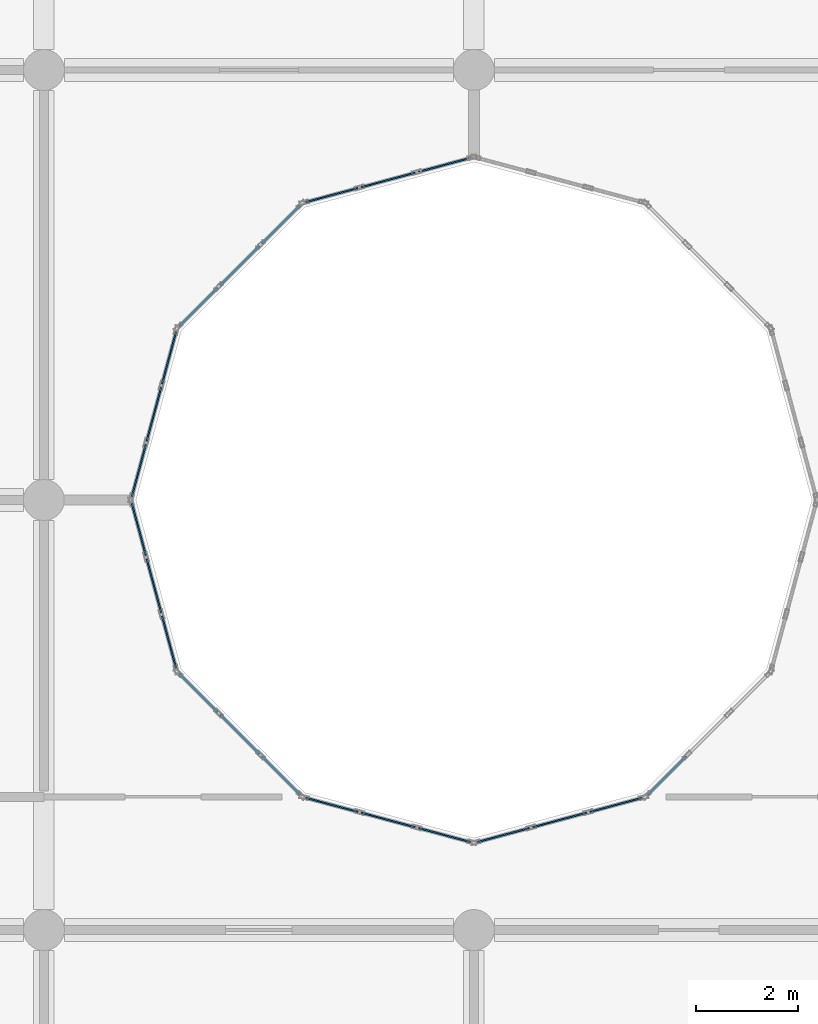
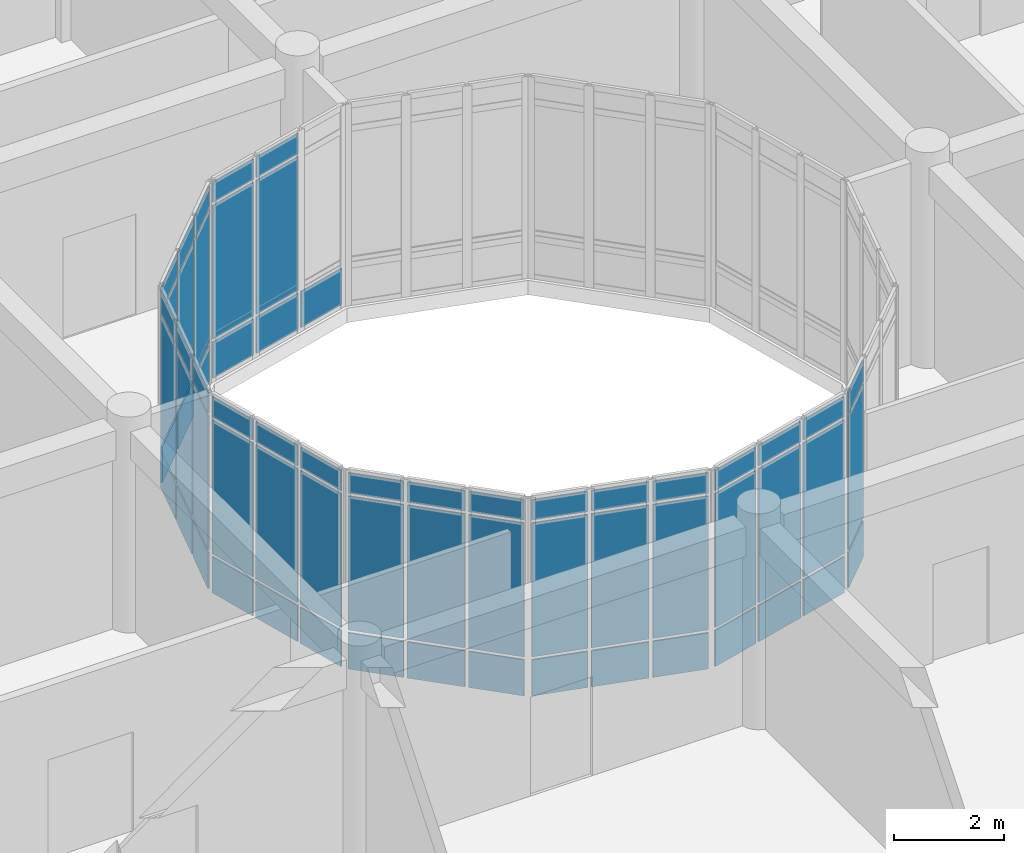
# One storey, part 70 of 138: 64 plates, 8 elements without a shape of their own.
"""IFC4 building model written with IfcOpenShell, lengths in metres."""

from ifc_helpers import new_model, si_unit, direction, frame, origin, origin_2d, place, context, subcontext, project, spatial, rectangle, extrude, material, layer, layer_set, type_object, element, aggregate, save


model = new_model("IFC4")

# Units and contexts
model_context = context("Model", 3, precision=1e-05, world=origin(), true_north=direction((0.0, 1.0)))
body_context = subcontext(model_context, "Body", "Model", "MODEL_VIEW")
ifc_project = project(units=[si_unit("LENGTHUNIT", "METRE"), si_unit("AREAUNIT", "SQUARE_METRE"), si_unit("VOLUMEUNIT", "CUBIC_METRE"), si_unit("PLANEANGLEUNIT", "RADIAN"), si_unit("MASSUNIT", "GRAM", prefix="KILO")], contexts=[model_context])

# Site, building, storey
site_placement = place(None, origin())
site = spatial("IfcSite", under=ifc_project, at=site_placement, CompositionType="ELEMENT")
building_placement = place(site_placement, origin())
building = spatial("IfcBuilding", under=site, at=building_placement, Name="Bramfleet General Hospital", CompositionType="ELEMENT")
storey_placement = place(building_placement, origin())
storey = spatial("IfcBuildingStorey", under=building, at=storey_placement, Name="L00", CompositionType="ELEMENT", Elevation=0.0)

# Curtain wall, plates
ifc_material_1 = material(Name="Anodised aluminium and low-E triple glazing", Category="aluminium")
ifc_layer_1 = layer(ifc_material_1, 0.179931640625, Name="CWT-CW-13")
ifc_layer_set_1 = layer_set([ifc_layer_1], Name="Anodised aluminium and low-E triple glazing")
curtain_wall_type_1 = type_object("IfcCurtainWallType", Name="CWT-CW-13", PredefinedType="USERDEFINED", material=ifc_layer_set_1)
curtain_wall_1_placement = place(storey_placement, origin())
curtain_wall_1 = element("IfcCurtainWall", 1, at=curtain_wall_1_placement, inside=storey, type_object=curtain_wall_type_1, Name="L00 West Clinical Light Court Curtain Wall 1.1", ObjectType="Stick curtain wall", PredefinedType="USERDEFINED")
ifc_material_2 = material(Name="Low-E laminated safety glass", Category="glass")
ifc_layer_2 = layer(ifc_material_2, 0.031982421875, Name="CWP-GLZ-2")
ifc_layer_set_2 = layer_set([ifc_layer_2], Name="Low-E laminated safety glass")
plate_type = type_object("IfcPlateType", Name="CWP-GLZ-2", PredefinedType="CURTAIN_PANEL", material=ifc_layer_set_2)
plate_1_placement = place(storey_placement, frame((18.654296875, 83.4248046875, 0.06494140625), z_axis=(0.0, 0.0, 1.0), x_axis=(0.25891863407, -0.965899136003, 0.0)))
plate_1 = element("IfcPlate", 2, at=plate_1_placement, type_object=plate_type, Name="CW-13 panel 1.1", PredefinedType="CURTAIN_PANEL", context=body_context, shape_type="SweptSolid", body=[
    extrude(rectangle(XDim=1.051025390625, YDim=0.031982421875, at=origin_2d()), origin(), (0.0, 0.0, 1.0), 0.802490234375),
])
plate_2_placement = place(storey_placement, frame((18.654296875, 83.4248046875, 0.932373046875), z_axis=(0.0, 0.0, 1.0), x_axis=(0.25891863407, -0.965899136003, 0.0)))
plate_2 = element("IfcPlate", 3, at=plate_2_placement, type_object=plate_type, Name="CW-13 panel 1.2", PredefinedType="CURTAIN_PANEL", context=body_context, shape_type="SweptSolid", body=[
    extrude(rectangle(XDim=1.051025390625, YDim=0.031982421875, at=origin_2d()), origin(), (0.0, 0.0, 1.0), 2.97509765625),
])
plate_3_placement = place(storey_placement, frame((18.654296875, 83.4248046875, 3.97265625), z_axis=(0.0, 0.0, 1.0), x_axis=(0.25891863407, -0.965899136003, 0.0)))
plate_3 = element("IfcPlate", 4, at=plate_3_placement, type_object=plate_type, Name="CW-13 panel 1.3", PredefinedType="CURTAIN_PANEL", context=body_context, shape_type="SweptSolid", body=[
    extrude(rectangle(XDim=1.051025390625, YDim=0.031982421875, at=origin_2d()), origin(), (0.0, 0.0, 1.0), 0.452392578125),
])
plate_4_placement = place(storey_placement, frame((18.948974609375, 82.324951171875, 0.06494140625), z_axis=(0.0, 0.0, 1.0), x_axis=(0.25891863407, -0.965899136003, 0.0)))
plate_4 = element("IfcPlate", 5, at=plate_4_placement, type_object=plate_type, Name="CW-13 panel 2.1", PredefinedType="CURTAIN_PANEL", context=body_context, shape_type="SweptSolid", body=[
    extrude(rectangle(XDim=1.086181640625, YDim=0.031982421875, at=origin_2d()), origin(), (0.0, 0.0, 1.0), 0.802490234375),
])
plate_5_placement = place(storey_placement, frame((18.948974609375, 82.324951171875, 0.932373046875), z_axis=(0.0, 0.0, 1.0), x_axis=(0.25891863407, -0.965899136003, 0.0)))
plate_5 = element("IfcPlate", 6, at=plate_5_placement, type_object=plate_type, Name="CW-13 panel 2.2", PredefinedType="CURTAIN_PANEL", context=body_context, shape_type="SweptSolid", body=[
    extrude(rectangle(XDim=1.086181640625, YDim=0.031982421875, at=origin_2d()), origin(), (0.0, 0.0, 1.0), 2.97509765625),
])
plate_6_placement = place(storey_placement, frame((18.948974609375, 82.324951171875, 3.97265625), z_axis=(0.0, 0.0, 1.0), x_axis=(0.25891863407, -0.965899136003, 0.0)))
plate_6 = element("IfcPlate", 7, at=plate_6_placement, type_object=plate_type, Name="CW-13 panel 2.3", PredefinedType="CURTAIN_PANEL", context=body_context, shape_type="SweptSolid", body=[
    extrude(rectangle(XDim=1.086181640625, YDim=0.031982421875, at=origin_2d()), origin(), (0.0, 0.0, 1.0), 0.452392578125),
])
plate_7_placement = place(storey_placement, frame((19.243896484375, 81.225341796875, 0.06494140625), z_axis=(0.0, 0.0, 1.0), x_axis=(0.25891863407, -0.965899136003, 0.0)))
plate_7 = element("IfcPlate", 8, at=plate_7_placement, type_object=plate_type, Name="CW-13 panel 3.1", PredefinedType="CURTAIN_PANEL", context=body_context, shape_type="SweptSolid", body=[
    extrude(rectangle(XDim=1.051025390625, YDim=0.031982421875, at=origin_2d()), origin(), (0.0, 0.0, 1.0), 0.802490234375),
])
plate_8_placement = place(storey_placement, frame((19.243896484375, 81.225341796875, 0.932373046875), z_axis=(0.0, 0.0, 1.0), x_axis=(0.25891863407, -0.965899136003, 0.0)))
plate_8 = element("IfcPlate", 9, at=plate_8_placement, type_object=plate_type, Name="CW-13 panel 3.2", PredefinedType="CURTAIN_PANEL", context=body_context, shape_type="SweptSolid", body=[
    extrude(rectangle(XDim=1.051025390625, YDim=0.031982421875, at=origin_2d()), origin(), (0.0, 0.0, 1.0), 2.97509765625),
])
plate_9_placement = place(storey_placement, frame((19.243896484375, 81.225341796875, 3.97265625), z_axis=(0.0, 0.0, 1.0), x_axis=(0.25891863407, -0.965899136003, 0.0)))
plate_9 = element("IfcPlate", 10, at=plate_9_placement, type_object=plate_type, Name="CW-13 panel 3.3", PredefinedType="CURTAIN_PANEL", context=body_context, shape_type="SweptSolid", body=[
    extrude(rectangle(XDim=1.051025390625, YDim=0.031982421875, at=origin_2d()), origin(), (0.0, 0.0, 1.0), 0.452392578125),
])
aggregate(curtain_wall_1, [plate_1, plate_2, plate_3, plate_4, plate_5, plate_6, plate_7, plate_8, plate_9])

ifc_layer_3 = layer(ifc_material_1, 0.179931640625, Name="CWT-CW-14")
ifc_layer_set_3 = layer_set([ifc_layer_3], Name="Anodised aluminium and low-E triple glazing")
curtain_wall_type_2 = type_object("IfcCurtainWallType", Name="CWT-CW-14", PredefinedType="USERDEFINED", material=ifc_layer_set_3)
curtain_wall_2_placement = place(storey_placement, origin())
curtain_wall_2 = element("IfcCurtainWall", 11, at=curtain_wall_2_placement, inside=storey, type_object=curtain_wall_type_2, Name="L00 West Clinical Light Court Curtain Wall 2.1", ObjectType="Stick curtain wall", PredefinedType="USERDEFINED")
plate_10_placement = place(storey_placement, frame((19.819091796875, 80.22900390625, 0.06494140625), z_axis=(0.0, 0.0, 1.0), x_axis=(0.707106781187, -0.707106781187, 0.0)))
plate_10 = element("IfcPlate", 12, at=plate_10_placement, type_object=plate_type, Name="CW-14 panel 1.1", PredefinedType="CURTAIN_PANEL", context=body_context, shape_type="SweptSolid", body=[
    extrude(rectangle(XDim=1.05078125, YDim=0.031982421875, at=origin_2d()), origin(), (0.0, 0.0, 1.0), 0.802490234375),
])
plate_11_placement = place(storey_placement, frame((19.819091796875, 80.22900390625, 0.932373046875), z_axis=(0.0, 0.0, 1.0), x_axis=(0.707106781187, -0.707106781187, 0.0)))
plate_11 = element("IfcPlate", 13, at=plate_11_placement, type_object=plate_type, Name="CW-14 panel 1.2", PredefinedType="CURTAIN_PANEL", context=body_context, shape_type="SweptSolid", body=[
    extrude(rectangle(XDim=1.05078125, YDim=0.031982421875, at=origin_2d()), origin(), (0.0, 0.0, 1.0), 2.97509765625),
])
plate_12_placement = place(storey_placement, frame((19.819091796875, 80.22900390625, 3.97265625), z_axis=(0.0, 0.0, 1.0), x_axis=(0.707106781187, -0.707106781187, 0.0)))
plate_12 = element("IfcPlate", 14, at=plate_12_placement, type_object=plate_type, Name="CW-14 panel 1.3", PredefinedType="CURTAIN_PANEL", context=body_context, shape_type="SweptSolid", body=[
    extrude(rectangle(XDim=1.05078125, YDim=0.031982421875, at=origin_2d()), origin(), (0.0, 0.0, 1.0), 0.452392578125),
])
plate_13_placement = place(storey_placement, frame((20.6240234375, 79.424072265625, 0.06494140625), z_axis=(0.0, 0.0, 1.0), x_axis=(0.707106781187, -0.707106781187, 0.0)))
plate_13 = element("IfcPlate", 15, at=plate_13_placement, type_object=plate_type, Name="CW-14 panel 2.1", PredefinedType="CURTAIN_PANEL", context=body_context, shape_type="SweptSolid", body=[
    extrude(rectangle(XDim=1.0859375, YDim=0.031982421875, at=origin_2d()), origin(), (0.0, 0.0, 1.0), 0.802490234375),
])
plate_14_placement = place(storey_placement, frame((20.6240234375, 79.424072265625, 0.932373046875), z_axis=(0.0, 0.0, 1.0), x_axis=(0.707106781187, -0.707106781187, 0.0)))
plate_14 = element("IfcPlate", 16, at=plate_14_placement, type_object=plate_type, Name="CW-14 panel 2.2", PredefinedType="CURTAIN_PANEL", context=body_context, shape_type="SweptSolid", body=[
    extrude(rectangle(XDim=1.0859375, YDim=0.031982421875, at=origin_2d()), origin(), (0.0, 0.0, 1.0), 2.97509765625),
])
plate_15_placement = place(storey_placement, frame((20.6240234375, 79.424072265625, 3.97265625), z_axis=(0.0, 0.0, 1.0), x_axis=(0.707106781187, -0.707106781187, 0.0)))
plate_15 = element("IfcPlate", 17, at=plate_15_placement, type_object=plate_type, Name="CW-14 panel 2.3", PredefinedType="CURTAIN_PANEL", context=body_context, shape_type="SweptSolid", body=[
    extrude(rectangle(XDim=1.0859375, YDim=0.031982421875, at=origin_2d()), origin(), (0.0, 0.0, 1.0), 0.452392578125),
])
plate_16_placement = place(storey_placement, frame((21.428955078125, 78.619140625, 0.06494140625), z_axis=(0.0, 0.0, 1.0), x_axis=(0.707106781187, -0.707106781187, 0.0)))
plate_16 = element("IfcPlate", 18, at=plate_16_placement, type_object=plate_type, Name="CW-14 panel 3.1", PredefinedType="CURTAIN_PANEL", context=body_context, shape_type="SweptSolid", body=[
    extrude(rectangle(XDim=1.05078125, YDim=0.031982421875, at=origin_2d()), origin(), (0.0, 0.0, 1.0), 0.802490234375),
])
plate_17_placement = place(storey_placement, frame((21.428955078125, 78.619140625, 0.932373046875), z_axis=(0.0, 0.0, 1.0), x_axis=(0.707106781187, -0.707106781187, 0.0)))
plate_17 = element("IfcPlate", 19, at=plate_17_placement, type_object=plate_type, Name="CW-14 panel 3.2", PredefinedType="CURTAIN_PANEL", context=body_context, shape_type="SweptSolid", body=[
    extrude(rectangle(XDim=1.05078125, YDim=0.031982421875, at=origin_2d()), origin(), (0.0, 0.0, 1.0), 2.97509765625),
])
plate_18_placement = place(storey_placement, frame((21.428955078125, 78.619140625, 3.97265625), z_axis=(0.0, 0.0, 1.0), x_axis=(0.707106781187, -0.707106781187, 0.0)))
plate_18 = element("IfcPlate", 20, at=plate_18_placement, type_object=plate_type, Name="CW-14 panel 3.3", PredefinedType="CURTAIN_PANEL", context=body_context, shape_type="SweptSolid", body=[
    extrude(rectangle(XDim=1.05078125, YDim=0.031982421875, at=origin_2d()), origin(), (0.0, 0.0, 1.0), 0.452392578125),
])
aggregate(curtain_wall_2, [plate_10, plate_11, plate_12, plate_13, plate_14, plate_15, plate_16, plate_17, plate_18])

ifc_layer_4 = layer(ifc_material_1, 0.179931640625, Name="CWT-CW-15")
ifc_layer_set_4 = layer_set([ifc_layer_4], Name="Anodised aluminium and low-E triple glazing")
curtain_wall_type_3 = type_object("IfcCurtainWallType", Name="CWT-CW-15", PredefinedType="USERDEFINED", material=ifc_layer_set_4)
curtain_wall_3_placement = place(storey_placement, origin())
curtain_wall_3 = element("IfcCurtainWall", 21, at=curtain_wall_3_placement, inside=storey, type_object=curtain_wall_type_3, Name="L00 West Clinical Light Court Curtain Wall 3.1", ObjectType="Stick curtain wall", PredefinedType="USERDEFINED")
plate_19_placement = place(storey_placement, frame((22.42529296875, 78.043701171875, 0.06494140625), z_axis=(0.0, 0.0, 1.0), x_axis=(0.965899136003, -0.25891863407, 0.0)))
plate_19 = element("IfcPlate", 22, at=plate_19_placement, type_object=plate_type, Name="CW-15 panel 1.1", PredefinedType="CURTAIN_PANEL", context=body_context, shape_type="SweptSolid", body=[
    extrude(rectangle(XDim=1.051025390625, YDim=0.031982421875, at=origin_2d()), origin(), (0.0, 0.0, 1.0), 0.802490234375),
])
plate_20_placement = place(storey_placement, frame((22.42529296875, 78.043701171875, 0.932373046875), z_axis=(0.0, 0.0, 1.0), x_axis=(0.965899136003, -0.25891863407, 0.0)))
plate_20 = element("IfcPlate", 23, at=plate_20_placement, type_object=plate_type, Name="CW-15 panel 1.2", PredefinedType="CURTAIN_PANEL", context=body_context, shape_type="SweptSolid", body=[
    extrude(rectangle(XDim=1.051025390625, YDim=0.031982421875, at=origin_2d()), origin(), (0.0, 0.0, 1.0), 2.97509765625),
])
plate_21_placement = place(storey_placement, frame((22.42529296875, 78.043701171875, 3.97265625), z_axis=(0.0, 0.0, 1.0), x_axis=(0.965899136003, -0.25891863407, 0.0)))
plate_21 = element("IfcPlate", 24, at=plate_21_placement, type_object=plate_type, Name="CW-15 panel 1.3", PredefinedType="CURTAIN_PANEL", context=body_context, shape_type="SweptSolid", body=[
    extrude(rectangle(XDim=1.051025390625, YDim=0.031982421875, at=origin_2d()), origin(), (0.0, 0.0, 1.0), 0.452392578125),
])
plate_22_placement = place(storey_placement, frame((23.52490234375, 77.7490234375, 0.06494140625), z_axis=(0.0, 0.0, 1.0), x_axis=(0.965899136003, -0.25891863407, 0.0)))
plate_22 = element("IfcPlate", 25, at=plate_22_placement, type_object=plate_type, Name="CW-15 panel 2.1", PredefinedType="CURTAIN_PANEL", context=body_context, shape_type="SweptSolid", body=[
    extrude(rectangle(XDim=1.086181640625, YDim=0.031982421875, at=origin_2d()), origin(), (0.0, 0.0, 1.0), 0.802490234375),
])
plate_23_placement = place(storey_placement, frame((23.52490234375, 77.7490234375, 0.932373046875), z_axis=(0.0, 0.0, 1.0), x_axis=(0.965899136003, -0.25891863407, 0.0)))
plate_23 = element("IfcPlate", 26, at=plate_23_placement, type_object=plate_type, Name="CW-15 panel 2.2", PredefinedType="CURTAIN_PANEL", context=body_context, shape_type="SweptSolid", body=[
    extrude(rectangle(XDim=1.086181640625, YDim=0.031982421875, at=origin_2d()), origin(), (0.0, 0.0, 1.0), 2.97509765625),
])
plate_24_placement = place(storey_placement, frame((23.52490234375, 77.7490234375, 3.97265625), z_axis=(0.0, 0.0, 1.0), x_axis=(0.965899136003, -0.25891863407, 0.0)))
plate_24 = element("IfcPlate", 27, at=plate_24_placement, type_object=plate_type, Name="CW-15 panel 2.3", PredefinedType="CURTAIN_PANEL", context=body_context, shape_type="SweptSolid", body=[
    extrude(rectangle(XDim=1.086181640625, YDim=0.031982421875, at=origin_2d()), origin(), (0.0, 0.0, 1.0), 0.452392578125),
])
plate_25_placement = place(storey_placement, frame((24.624755859375, 77.4541015625, 0.06494140625), z_axis=(0.0, 0.0, 1.0), x_axis=(0.965899136003, -0.25891863407, 0.0)))
plate_25 = element("IfcPlate", 28, at=plate_25_placement, type_object=plate_type, Name="CW-15 panel 3.1", PredefinedType="CURTAIN_PANEL", context=body_context, shape_type="SweptSolid", body=[
    extrude(rectangle(XDim=1.051025390625, YDim=0.031982421875, at=origin_2d()), origin(), (0.0, 0.0, 1.0), 0.802490234375),
])
plate_26_placement = place(storey_placement, frame((24.624755859375, 77.4541015625, 0.932373046875), z_axis=(0.0, 0.0, 1.0), x_axis=(0.965899136003, -0.25891863407, 0.0)))
plate_26 = element("IfcPlate", 29, at=plate_26_placement, type_object=plate_type, Name="CW-15 panel 3.2", PredefinedType="CURTAIN_PANEL", context=body_context, shape_type="SweptSolid", body=[
    extrude(rectangle(XDim=1.051025390625, YDim=0.031982421875, at=origin_2d()), origin(), (0.0, 0.0, 1.0), 2.97509765625),
])
plate_27_placement = place(storey_placement, frame((24.624755859375, 77.4541015625, 3.97265625), z_axis=(0.0, 0.0, 1.0), x_axis=(0.965899136003, -0.25891863407, 0.0)))
plate_27 = element("IfcPlate", 30, at=plate_27_placement, type_object=plate_type, Name="CW-15 panel 3.3", PredefinedType="CURTAIN_PANEL", context=body_context, shape_type="SweptSolid", body=[
    extrude(rectangle(XDim=1.051025390625, YDim=0.031982421875, at=origin_2d()), origin(), (0.0, 0.0, 1.0), 0.452392578125),
])
aggregate(curtain_wall_3, [plate_19, plate_20, plate_21, plate_22, plate_23, plate_24, plate_25, plate_26, plate_27])

ifc_layer_5 = layer(ifc_material_1, 0.179931640625, Name="CWT-CW-16")
ifc_layer_set_5 = layer_set([ifc_layer_5], Name="Anodised aluminium and low-E triple glazing")
curtain_wall_type_4 = type_object("IfcCurtainWallType", Name="CWT-CW-16", PredefinedType="USERDEFINED", material=ifc_layer_set_5)
curtain_wall_4_placement = place(storey_placement, origin())
curtain_wall_4 = element("IfcCurtainWall", 31, at=curtain_wall_4_placement, inside=storey, type_object=curtain_wall_type_4, Name="L00 West Clinical Light Court Curtain Wall 4.1", ObjectType="Stick curtain wall", PredefinedType="USERDEFINED")
plate_28_placement = place(storey_placement, frame((25.775146484375, 77.4541015625, 0.06494140625), z_axis=(0.0, 0.0, 1.0), x_axis=(0.965899136003, 0.25891863407, 0.0)))
plate_28 = element("IfcPlate", 32, at=plate_28_placement, type_object=plate_type, Name="CW-16 panel 1.1", PredefinedType="CURTAIN_PANEL", context=body_context, shape_type="SweptSolid", body=[
    extrude(rectangle(XDim=1.051025390625, YDim=0.031982421875, at=origin_2d()), origin(), (0.0, 0.0, 1.0), 0.802490234375),
])
plate_29_placement = place(storey_placement, frame((25.775146484375, 77.4541015625, 0.932373046875), z_axis=(0.0, 0.0, 1.0), x_axis=(0.965899136003, 0.25891863407, 0.0)))
plate_29 = element("IfcPlate", 33, at=plate_29_placement, type_object=plate_type, Name="CW-16 panel 1.2", PredefinedType="CURTAIN_PANEL", context=body_context, shape_type="SweptSolid", body=[
    extrude(rectangle(XDim=1.051025390625, YDim=0.031982421875, at=origin_2d()), origin(), (0.0, 0.0, 1.0), 2.97509765625),
])
plate_30_placement = place(storey_placement, frame((25.775146484375, 77.4541015625, 3.97265625), z_axis=(0.0, 0.0, 1.0), x_axis=(0.965899136003, 0.25891863407, 0.0)))
plate_30 = element("IfcPlate", 34, at=plate_30_placement, type_object=plate_type, Name="CW-16 panel 1.3", PredefinedType="CURTAIN_PANEL", context=body_context, shape_type="SweptSolid", body=[
    extrude(rectangle(XDim=1.051025390625, YDim=0.031982421875, at=origin_2d()), origin(), (0.0, 0.0, 1.0), 0.452392578125),
])
plate_31_placement = place(storey_placement, frame((26.875, 77.7490234375, 0.06494140625), z_axis=(0.0, 0.0, 1.0), x_axis=(0.965899136003, 0.25891863407, 0.0)))
plate_31 = element("IfcPlate", 35, at=plate_31_placement, type_object=plate_type, Name="CW-16 panel 2.1", PredefinedType="CURTAIN_PANEL", context=body_context, shape_type="SweptSolid", body=[
    extrude(rectangle(XDim=1.086181640625, YDim=0.031982421875, at=origin_2d()), origin(), (0.0, 0.0, 1.0), 0.802490234375),
])
plate_32_placement = place(storey_placement, frame((26.875, 77.7490234375, 0.932373046875), z_axis=(0.0, 0.0, 1.0), x_axis=(0.965899136003, 0.25891863407, 0.0)))
plate_32 = element("IfcPlate", 36, at=plate_32_placement, type_object=plate_type, Name="CW-16 panel 2.2", PredefinedType="CURTAIN_PANEL", context=body_context, shape_type="SweptSolid", body=[
    extrude(rectangle(XDim=1.086181640625, YDim=0.031982421875, at=origin_2d()), origin(), (0.0, 0.0, 1.0), 2.97509765625),
])
plate_33_placement = place(storey_placement, frame((26.875, 77.7490234375, 3.97265625), z_axis=(0.0, 0.0, 1.0), x_axis=(0.965899136003, 0.25891863407, 0.0)))
plate_33 = element("IfcPlate", 37, at=plate_33_placement, type_object=plate_type, Name="CW-16 panel 2.3", PredefinedType="CURTAIN_PANEL", context=body_context, shape_type="SweptSolid", body=[
    extrude(rectangle(XDim=1.086181640625, YDim=0.031982421875, at=origin_2d()), origin(), (0.0, 0.0, 1.0), 0.452392578125),
])
plate_34_placement = place(storey_placement, frame((27.974853515625, 78.043701171875, 0.06494140625), z_axis=(0.0, 0.0, 1.0), x_axis=(0.965899136003, 0.25891863407, 0.0)))
plate_34 = element("IfcPlate", 38, at=plate_34_placement, type_object=plate_type, Name="CW-16 panel 3.1", PredefinedType="CURTAIN_PANEL", context=body_context, shape_type="SweptSolid", body=[
    extrude(rectangle(XDim=1.051025390625, YDim=0.031982421875, at=origin_2d()), origin(), (0.0, 0.0, 1.0), 0.802490234375),
])
plate_35_placement = place(storey_placement, frame((27.974853515625, 78.043701171875, 0.932373046875), z_axis=(0.0, 0.0, 1.0), x_axis=(0.965899136003, 0.25891863407, 0.0)))
plate_35 = element("IfcPlate", 39, at=plate_35_placement, type_object=plate_type, Name="CW-16 panel 3.2", PredefinedType="CURTAIN_PANEL", context=body_context, shape_type="SweptSolid", body=[
    extrude(rectangle(XDim=1.051025390625, YDim=0.031982421875, at=origin_2d()), origin(), (0.0, 0.0, 1.0), 2.97509765625),
])
plate_36_placement = place(storey_placement, frame((27.974853515625, 78.043701171875, 3.97265625), z_axis=(0.0, 0.0, 1.0), x_axis=(0.965899136003, 0.25891863407, 0.0)))
plate_36 = element("IfcPlate", 40, at=plate_36_placement, type_object=plate_type, Name="CW-16 panel 3.3", PredefinedType="CURTAIN_PANEL", context=body_context, shape_type="SweptSolid", body=[
    extrude(rectangle(XDim=1.051025390625, YDim=0.031982421875, at=origin_2d()), origin(), (0.0, 0.0, 1.0), 0.452392578125),
])
aggregate(curtain_wall_4, [plate_28, plate_29, plate_30, plate_31, plate_32, plate_33, plate_34, plate_35, plate_36])

ifc_layer_6 = layer(ifc_material_1, 0.179931640625, Name="CWT-CW-17")
ifc_layer_set_6 = layer_set([ifc_layer_6], Name="Anodised aluminium and low-E triple glazing")
curtain_wall_type_5 = type_object("IfcCurtainWallType", Name="CWT-CW-17", PredefinedType="USERDEFINED", material=ifc_layer_set_6)
curtain_wall_5_placement = place(storey_placement, origin())
curtain_wall_5 = element("IfcCurtainWall", 41, at=curtain_wall_5_placement, inside=storey, type_object=curtain_wall_type_5, Name="L00 West Clinical Light Court Curtain Wall 5.1", ObjectType="Stick curtain wall", PredefinedType="USERDEFINED")
plate_37_placement = place(storey_placement, frame((28.970947265625, 78.619140625, 0.06494140625), z_axis=(0.0, 0.0, 1.0), x_axis=(0.707106781187, 0.707106781187, 0.0)))
plate_37 = element("IfcPlate", 42, at=plate_37_placement, type_object=plate_type, Name="CW-17 panel 1.1", PredefinedType="CURTAIN_PANEL", context=body_context, shape_type="SweptSolid", body=[
    extrude(rectangle(XDim=1.05078125, YDim=0.031982421875, at=origin_2d()), origin(), (0.0, 0.0, 1.0), 0.802490234375),
])
plate_38_placement = place(storey_placement, frame((28.970947265625, 78.619140625, 0.932373046875), z_axis=(0.0, 0.0, 1.0), x_axis=(0.707106781187, 0.707106781187, 0.0)))
plate_38 = element("IfcPlate", 43, at=plate_38_placement, type_object=plate_type, Name="CW-17 panel 1.2", PredefinedType="CURTAIN_PANEL", context=body_context, shape_type="SweptSolid", body=[
    extrude(rectangle(XDim=1.05078125, YDim=0.031982421875, at=origin_2d()), origin(), (0.0, 0.0, 1.0), 2.97509765625),
])
plate_39_placement = place(storey_placement, frame((28.970947265625, 78.619140625, 3.97265625), z_axis=(0.0, 0.0, 1.0), x_axis=(0.707106781187, 0.707106781187, 0.0)))
plate_39 = element("IfcPlate", 44, at=plate_39_placement, type_object=plate_type, Name="CW-17 panel 1.3", PredefinedType="CURTAIN_PANEL", context=body_context, shape_type="SweptSolid", body=[
    extrude(rectangle(XDim=1.05078125, YDim=0.031982421875, at=origin_2d()), origin(), (0.0, 0.0, 1.0), 0.452392578125),
])
aggregate(curtain_wall_5, [plate_37, plate_38, plate_39])

curtain_wall_6_placement = place(storey_placement, origin())
curtain_wall_6 = element("IfcCurtainWall", 45, at=curtain_wall_6_placement, inside=storey, type_object=curtain_wall_type_2, Name="L00 West Clinical Light Court Curtain Wall 10.1", ObjectType="Stick curtain wall", PredefinedType="USERDEFINED")
plate_40_placement = place(storey_placement, frame((24.624755859375, 90.5458984375, 0.06494140625), z_axis=(0.0, 0.0, 1.0), x_axis=(-0.965899136003, -0.25891863407, 0.0)))
plate_40 = element("IfcPlate", 46, at=plate_40_placement, type_object=plate_type, Name="CW-14 panel 1.1", PredefinedType="CURTAIN_PANEL", context=body_context, shape_type="SweptSolid", body=[
    extrude(rectangle(XDim=1.051025390625, YDim=0.031982421875, at=origin_2d()), origin(), (0.0, 0.0, 1.0), 0.802490234375),
])
plate_41_placement = place(storey_placement, frame((23.52490234375, 90.2509765625, 0.06494140625), z_axis=(0.0, 0.0, 1.0), x_axis=(-0.965899136003, -0.25891863407, 0.0)))
plate_41 = element("IfcPlate", 47, at=plate_41_placement, type_object=plate_type, Name="CW-14 panel 2.1", PredefinedType="CURTAIN_PANEL", context=body_context, shape_type="SweptSolid", body=[
    extrude(rectangle(XDim=1.086181640625, YDim=0.031982421875, at=origin_2d()), origin(), (0.0, 0.0, 1.0), 0.802490234375),
])
plate_42_placement = place(storey_placement, frame((23.52490234375, 90.2509765625, 0.932373046875), z_axis=(0.0, 0.0, 1.0), x_axis=(-0.965899136003, -0.25891863407, 0.0)))
plate_42 = element("IfcPlate", 48, at=plate_42_placement, type_object=plate_type, Name="CW-14 panel 2.2", PredefinedType="CURTAIN_PANEL", context=body_context, shape_type="SweptSolid", body=[
    extrude(rectangle(XDim=1.086181640625, YDim=0.031982421875, at=origin_2d()), origin(), (0.0, 0.0, 1.0), 2.97509765625),
])
plate_43_placement = place(storey_placement, frame((23.52490234375, 90.2509765625, 3.97265625), z_axis=(0.0, 0.0, 1.0), x_axis=(-0.965899136003, -0.25891863407, 0.0)))
plate_43 = element("IfcPlate", 49, at=plate_43_placement, type_object=plate_type, Name="CW-14 panel 2.3", PredefinedType="CURTAIN_PANEL", context=body_context, shape_type="SweptSolid", body=[
    extrude(rectangle(XDim=1.086181640625, YDim=0.031982421875, at=origin_2d()), origin(), (0.0, 0.0, 1.0), 0.452392578125),
])
plate_44_placement = place(storey_placement, frame((22.42529296875, 89.956298828125, 0.06494140625), z_axis=(0.0, 0.0, 1.0), x_axis=(-0.965899136003, -0.25891863407, 0.0)))
plate_44 = element("IfcPlate", 50, at=plate_44_placement, type_object=plate_type, Name="CW-14 panel 3.1", PredefinedType="CURTAIN_PANEL", context=body_context, shape_type="SweptSolid", body=[
    extrude(rectangle(XDim=1.051025390625, YDim=0.031982421875, at=origin_2d()), origin(), (0.0, 0.0, 1.0), 0.802490234375),
])
plate_45_placement = place(storey_placement, frame((22.42529296875, 89.956298828125, 0.932373046875), z_axis=(0.0, 0.0, 1.0), x_axis=(-0.965899136003, -0.25891863407, 0.0)))
plate_45 = element("IfcPlate", 51, at=plate_45_placement, type_object=plate_type, Name="CW-14 panel 3.2", PredefinedType="CURTAIN_PANEL", context=body_context, shape_type="SweptSolid", body=[
    extrude(rectangle(XDim=1.051025390625, YDim=0.031982421875, at=origin_2d()), origin(), (0.0, 0.0, 1.0), 2.97509765625),
])
plate_46_placement = place(storey_placement, frame((22.42529296875, 89.956298828125, 3.97265625), z_axis=(0.0, 0.0, 1.0), x_axis=(-0.965899136003, -0.25891863407, 0.0)))
plate_46 = element("IfcPlate", 52, at=plate_46_placement, type_object=plate_type, Name="CW-14 panel 3.3", PredefinedType="CURTAIN_PANEL", context=body_context, shape_type="SweptSolid", body=[
    extrude(rectangle(XDim=1.051025390625, YDim=0.031982421875, at=origin_2d()), origin(), (0.0, 0.0, 1.0), 0.452392578125),
])
aggregate(curtain_wall_6, [plate_40, plate_41, plate_42, plate_43, plate_44, plate_45, plate_46])

curtain_wall_7_placement = place(storey_placement, origin())
curtain_wall_7 = element("IfcCurtainWall", 53, at=curtain_wall_7_placement, inside=storey, type_object=curtain_wall_type_3, Name="L00 West Clinical Light Court Curtain Wall 11.1", ObjectType="Stick curtain wall", PredefinedType="USERDEFINED")
plate_47_placement = place(storey_placement, frame((21.428955078125, 89.380859375, 0.06494140625), z_axis=(0.0, 0.0, 1.0), x_axis=(-0.707106781187, -0.707106781187, 0.0)))
plate_47 = element("IfcPlate", 54, at=plate_47_placement, type_object=plate_type, Name="CW-15 panel 1.1", PredefinedType="CURTAIN_PANEL", context=body_context, shape_type="SweptSolid", body=[
    extrude(rectangle(XDim=1.05078125, YDim=0.031982421875, at=origin_2d()), origin(), (0.0, 0.0, 1.0), 0.802490234375),
])
plate_48_placement = place(storey_placement, frame((21.428955078125, 89.380859375, 0.932373046875), z_axis=(0.0, 0.0, 1.0), x_axis=(-0.707106781187, -0.707106781187, 0.0)))
plate_48 = element("IfcPlate", 55, at=plate_48_placement, type_object=plate_type, Name="CW-15 panel 1.2", PredefinedType="CURTAIN_PANEL", context=body_context, shape_type="SweptSolid", body=[
    extrude(rectangle(XDim=1.05078125, YDim=0.031982421875, at=origin_2d()), origin(), (0.0, 0.0, 1.0), 2.97509765625),
])
plate_49_placement = place(storey_placement, frame((21.428955078125, 89.380859375, 3.97265625), z_axis=(0.0, 0.0, 1.0), x_axis=(-0.707106781187, -0.707106781187, 0.0)))
plate_49 = element("IfcPlate", 56, at=plate_49_placement, type_object=plate_type, Name="CW-15 panel 1.3", PredefinedType="CURTAIN_PANEL", context=body_context, shape_type="SweptSolid", body=[
    extrude(rectangle(XDim=1.05078125, YDim=0.031982421875, at=origin_2d()), origin(), (0.0, 0.0, 1.0), 0.452392578125),
])
plate_50_placement = place(storey_placement, frame((20.6240234375, 88.575927734375, 0.06494140625), z_axis=(0.0, 0.0, 1.0), x_axis=(-0.707106781187, -0.707106781187, 0.0)))
plate_50 = element("IfcPlate", 57, at=plate_50_placement, type_object=plate_type, Name="CW-15 panel 2.1", PredefinedType="CURTAIN_PANEL", context=body_context, shape_type="SweptSolid", body=[
    extrude(rectangle(XDim=1.0859375, YDim=0.031982421875, at=origin_2d()), origin(), (0.0, 0.0, 1.0), 0.802490234375),
])
plate_51_placement = place(storey_placement, frame((20.6240234375, 88.575927734375, 0.932373046875), z_axis=(0.0, 0.0, 1.0), x_axis=(-0.707106781187, -0.707106781187, 0.0)))
plate_51 = element("IfcPlate", 58, at=plate_51_placement, type_object=plate_type, Name="CW-15 panel 2.2", PredefinedType="CURTAIN_PANEL", context=body_context, shape_type="SweptSolid", body=[
    extrude(rectangle(XDim=1.0859375, YDim=0.031982421875, at=origin_2d()), origin(), (0.0, 0.0, 1.0), 2.97509765625),
])
plate_52_placement = place(storey_placement, frame((20.6240234375, 88.575927734375, 3.97265625), z_axis=(0.0, 0.0, 1.0), x_axis=(-0.707106781187, -0.707106781187, 0.0)))
plate_52 = element("IfcPlate", 59, at=plate_52_placement, type_object=plate_type, Name="CW-15 panel 2.3", PredefinedType="CURTAIN_PANEL", context=body_context, shape_type="SweptSolid", body=[
    extrude(rectangle(XDim=1.0859375, YDim=0.031982421875, at=origin_2d()), origin(), (0.0, 0.0, 1.0), 0.452392578125),
])
plate_53_placement = place(storey_placement, frame((19.819091796875, 87.77099609375, 0.06494140625), z_axis=(0.0, 0.0, 1.0), x_axis=(-0.707106781187, -0.707106781187, 0.0)))
plate_53 = element("IfcPlate", 60, at=plate_53_placement, type_object=plate_type, Name="CW-15 panel 3.1", PredefinedType="CURTAIN_PANEL", context=body_context, shape_type="SweptSolid", body=[
    extrude(rectangle(XDim=1.05078125, YDim=0.031982421875, at=origin_2d()), origin(), (0.0, 0.0, 1.0), 0.802490234375),
])
plate_54_placement = place(storey_placement, frame((19.819091796875, 87.77099609375, 0.932373046875), z_axis=(0.0, 0.0, 1.0), x_axis=(-0.707106781187, -0.707106781187, 0.0)))
plate_54 = element("IfcPlate", 61, at=plate_54_placement, type_object=plate_type, Name="CW-15 panel 3.2", PredefinedType="CURTAIN_PANEL", context=body_context, shape_type="SweptSolid", body=[
    extrude(rectangle(XDim=1.05078125, YDim=0.031982421875, at=origin_2d()), origin(), (0.0, 0.0, 1.0), 2.97509765625),
])
plate_55_placement = place(storey_placement, frame((19.819091796875, 87.77099609375, 3.97265625), z_axis=(0.0, 0.0, 1.0), x_axis=(-0.707106781187, -0.707106781187, 0.0)))
plate_55 = element("IfcPlate", 62, at=plate_55_placement, type_object=plate_type, Name="CW-15 panel 3.3", PredefinedType="CURTAIN_PANEL", context=body_context, shape_type="SweptSolid", body=[
    extrude(rectangle(XDim=1.05078125, YDim=0.031982421875, at=origin_2d()), origin(), (0.0, 0.0, 1.0), 0.452392578125),
])
aggregate(curtain_wall_7, [plate_47, plate_48, plate_49, plate_50, plate_51, plate_52, plate_53, plate_54, plate_55])

curtain_wall_8_placement = place(storey_placement, origin())
curtain_wall_8 = element("IfcCurtainWall", 63, at=curtain_wall_8_placement, inside=storey, type_object=curtain_wall_type_4, Name="L00 West Clinical Light Court Curtain Wall 12.1", ObjectType="Stick curtain wall", PredefinedType="USERDEFINED")
plate_56_placement = place(storey_placement, frame((19.243896484375, 86.774658203125, 0.06494140625), z_axis=(0.0, 0.0, 1.0), x_axis=(-0.25891863407, -0.965899136003, 0.0)))
plate_56 = element("IfcPlate", 64, at=plate_56_placement, type_object=plate_type, Name="CW-16 panel 1.1", PredefinedType="CURTAIN_PANEL", context=body_context, shape_type="SweptSolid", body=[
    extrude(rectangle(XDim=1.051025390625, YDim=0.031982421875, at=origin_2d()), origin(), (0.0, 0.0, 1.0), 0.802490234375),
])
plate_57_placement = place(storey_placement, frame((19.243896484375, 86.774658203125, 0.932373046875), z_axis=(0.0, 0.0, 1.0), x_axis=(-0.25891863407, -0.965899136003, 0.0)))
plate_57 = element("IfcPlate", 65, at=plate_57_placement, type_object=plate_type, Name="CW-16 panel 1.2", PredefinedType="CURTAIN_PANEL", context=body_context, shape_type="SweptSolid", body=[
    extrude(rectangle(XDim=1.051025390625, YDim=0.031982421875, at=origin_2d()), origin(), (0.0, 0.0, 1.0), 2.97509765625),
])
plate_58_placement = place(storey_placement, frame((19.243896484375, 86.774658203125, 3.97265625), z_axis=(0.0, 0.0, 1.0), x_axis=(-0.25891863407, -0.965899136003, 0.0)))
plate_58 = element("IfcPlate", 66, at=plate_58_placement, type_object=plate_type, Name="CW-16 panel 1.3", PredefinedType="CURTAIN_PANEL", context=body_context, shape_type="SweptSolid", body=[
    extrude(rectangle(XDim=1.051025390625, YDim=0.031982421875, at=origin_2d()), origin(), (0.0, 0.0, 1.0), 0.452392578125),
])
plate_59_placement = place(storey_placement, frame((18.948974609375, 85.675048828125, 0.06494140625), z_axis=(0.0, 0.0, 1.0), x_axis=(-0.25891863407, -0.965899136003, 0.0)))
plate_59 = element("IfcPlate", 67, at=plate_59_placement, type_object=plate_type, Name="CW-16 panel 2.1", PredefinedType="CURTAIN_PANEL", context=body_context, shape_type="SweptSolid", body=[
    extrude(rectangle(XDim=1.086181640625, YDim=0.031982421875, at=origin_2d()), origin(), (0.0, 0.0, 1.0), 0.802490234375),
])
plate_60_placement = place(storey_placement, frame((18.948974609375, 85.675048828125, 0.932373046875), z_axis=(0.0, 0.0, 1.0), x_axis=(-0.25891863407, -0.965899136003, 0.0)))
plate_60 = element("IfcPlate", 68, at=plate_60_placement, type_object=plate_type, Name="CW-16 panel 2.2", PredefinedType="CURTAIN_PANEL", context=body_context, shape_type="SweptSolid", body=[
    extrude(rectangle(XDim=1.086181640625, YDim=0.031982421875, at=origin_2d()), origin(), (0.0, 0.0, 1.0), 2.97509765625),
])
plate_61_placement = place(storey_placement, frame((18.948974609375, 85.675048828125, 3.97265625), z_axis=(0.0, 0.0, 1.0), x_axis=(-0.25891863407, -0.965899136003, 0.0)))
plate_61 = element("IfcPlate", 69, at=plate_61_placement, type_object=plate_type, Name="CW-16 panel 2.3", PredefinedType="CURTAIN_PANEL", context=body_context, shape_type="SweptSolid", body=[
    extrude(rectangle(XDim=1.086181640625, YDim=0.031982421875, at=origin_2d()), origin(), (0.0, 0.0, 1.0), 0.452392578125),
])
plate_62_placement = place(storey_placement, frame((18.654296875, 84.5751953125, 0.06494140625), z_axis=(0.0, 0.0, 1.0), x_axis=(-0.25891863407, -0.965899136003, 0.0)))
plate_62 = element("IfcPlate", 70, at=plate_62_placement, type_object=plate_type, Name="CW-16 panel 3.1", PredefinedType="CURTAIN_PANEL", context=body_context, shape_type="SweptSolid", body=[
    extrude(rectangle(XDim=1.051025390625, YDim=0.031982421875, at=origin_2d()), origin(), (0.0, 0.0, 1.0), 0.802490234375),
])
plate_63_placement = place(storey_placement, frame((18.654296875, 84.5751953125, 0.932373046875), z_axis=(0.0, 0.0, 1.0), x_axis=(-0.25891863407, -0.965899136003, 0.0)))
plate_63 = element("IfcPlate", 71, at=plate_63_placement, type_object=plate_type, Name="CW-16 panel 3.2", PredefinedType="CURTAIN_PANEL", context=body_context, shape_type="SweptSolid", body=[
    extrude(rectangle(XDim=1.051025390625, YDim=0.031982421875, at=origin_2d()), origin(), (0.0, 0.0, 1.0), 2.97509765625),
])
plate_64_placement = place(storey_placement, frame((18.654296875, 84.5751953125, 3.97265625), z_axis=(0.0, 0.0, 1.0), x_axis=(-0.25891863407, -0.965899136003, 0.0)))
plate_64 = element("IfcPlate", 72, at=plate_64_placement, type_object=plate_type, Name="CW-16 panel 3.3", PredefinedType="CURTAIN_PANEL", context=body_context, shape_type="SweptSolid", body=[
    extrude(rectangle(XDim=1.051025390625, YDim=0.031982421875, at=origin_2d()), origin(), (0.0, 0.0, 1.0), 0.452392578125),
])
aggregate(curtain_wall_8, [plate_56, plate_57, plate_58, plate_59, plate_60, plate_61, plate_62, plate_63, plate_64])

save(model, "model.ifc")
